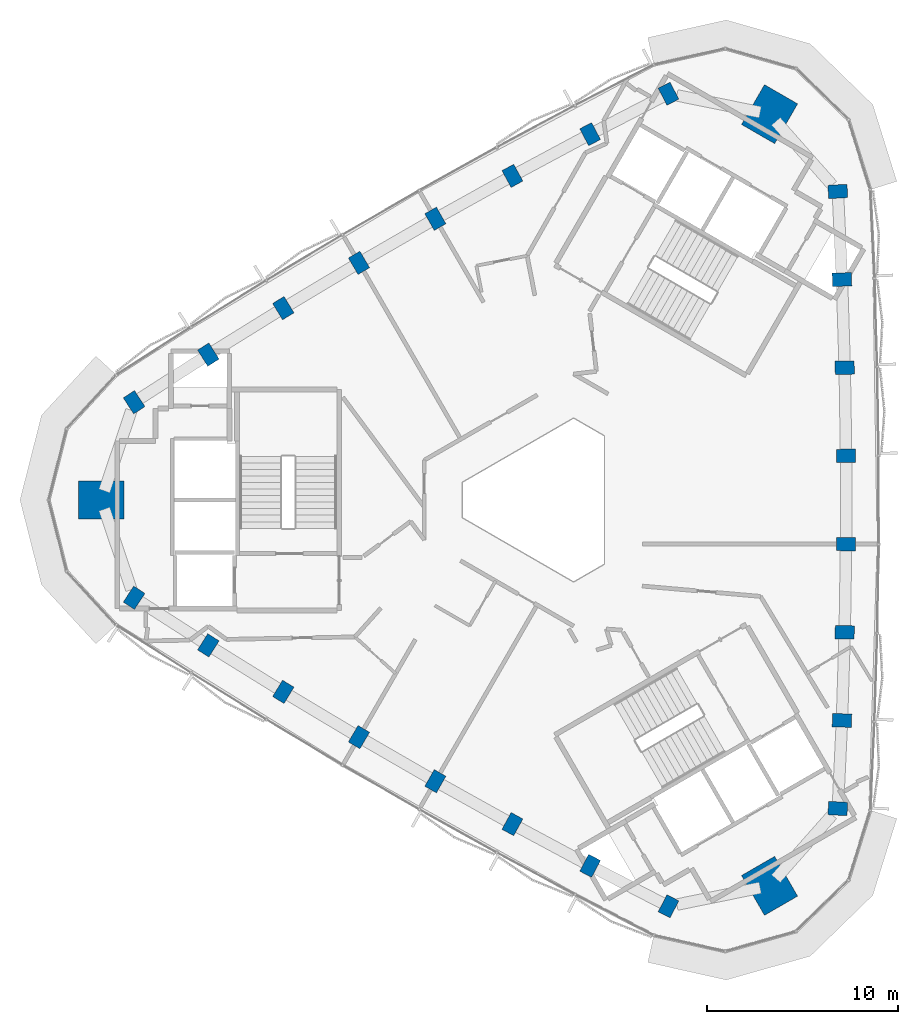
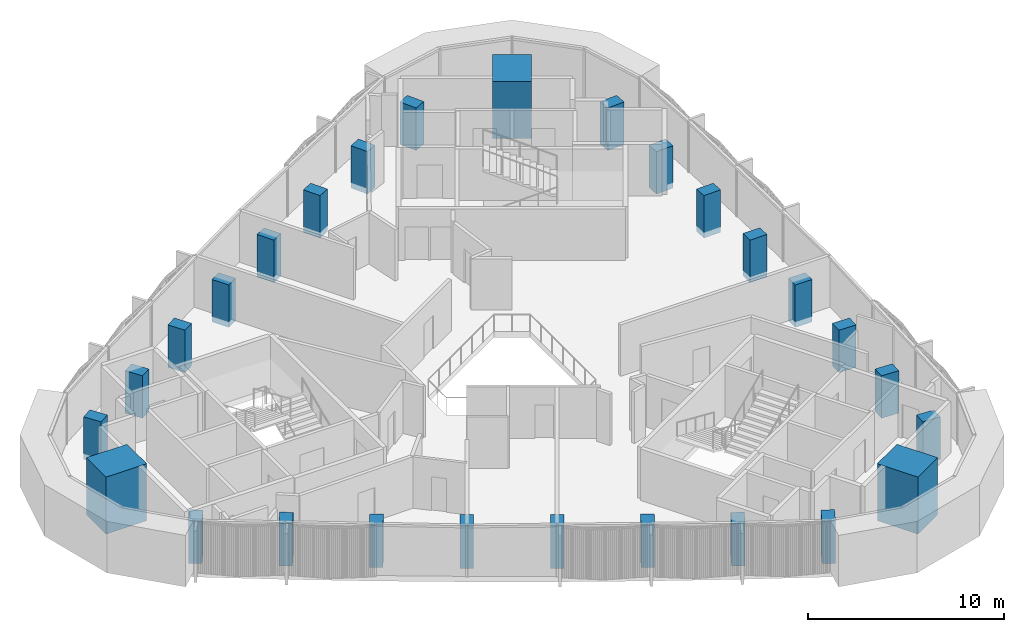
# One storey, part 1 of 13: 27 columns.
"""IFC4 building model written with IfcOpenShell, lengths in metres."""

from ifc_helpers import new_model, si_unit, direction, frame, origin, origin_2d, place, context, subcontext, project, spatial, rectangle, extrude, material, material_profile, profile_set, type_object, element, save


model = new_model("IFC4")

# Units and contexts
model_context = context("Model", 3, precision=1e-05, world=origin(), true_north=direction((0.0, 1.0)))
body_context = subcontext(model_context, "Body", "Model", "MODEL_VIEW")
ifc_project = project(units=[si_unit("LENGTHUNIT", "METRE"), si_unit("AREAUNIT", "SQUARE_METRE"), si_unit("VOLUMEUNIT", "CUBIC_METRE"), si_unit("PLANEANGLEUNIT", "RADIAN"), si_unit("MASSUNIT", "GRAM", prefix="KILO")], contexts=[model_context])

# Site, building, storey
site_placement = place(None, origin())
site = spatial("IfcSite", under=ifc_project, at=site_placement, CompositionType="ELEMENT")
building_placement = place(site_placement, origin())
building = spatial("IfcBuilding", under=site, at=building_placement, Name="Tamra Quay Hotel Tower", CompositionType="ELEMENT")
storey_placement = place(building_placement, frame((0.0, 0.0, 298.199951171875)))
storey = spatial("IfcBuildingStorey", under=building, at=storey_placement, Name="L75", CompositionType="ELEMENT", Elevation=298.199951171875)

# Columns
ifc_material = material(Name="Concrete M70", Category="concrete")
ifc_material_profile_1 = material_profile(ifc_material, rectangle(XDim=1.0, YDim=0.699951171875, at=origin_2d()), Name="COLUMN RC 700x1000 Z6")
ifc_profile_set_1 = profile_set([ifc_material_profile_1], Name="Concrete M70")
column_type_1 = type_object("IfcColumnType", Name="COLUMN RC 700x1000 Z6", PredefinedType="COLUMN", material=ifc_profile_set_1)
for number, where, z_axis, x_axis, name in (
    (1, (15.202392578125, -16.116943359375, -0.349853515625), (0.0, 0.0, 1.0), (-0.998490919119, 0.05491706873, 0.0), "COL-C6E01-L75"),
    (2, (15.418212890625, -11.51513671875, -0.349853515625), (0.0, 0.0, 1.0), (-0.999251212442, 0.03869127076, 0.0), "COL-C6E02-L75"),
    (3, (15.56201171875, -6.909912109375, -0.349853515625), (0.0, 0.0, 1.0), (-0.999717847188, 0.023753442163, 0.0), "COL-C6E03-L75"),
    (4, (15.634033203125, -2.303466796875, -0.349853515625), (0.0, 0.0, 1.0), (-0.999968634555, 0.007920221337, 0.0), "COL-C6E04-L75"),
    (5, (15.634033203125, 2.303466796875, -0.349853515625), (0.0, 0.0, 1.0), (0.999968634555, 0.007920221337, 0.0), "COL-C6E05-L75"),
    (6, (15.56201171875, 6.909912109375, -0.349853515625), (0.0, 0.0, 1.0), (0.999717847188, 0.023753442163, 0.0), "COL-C6E06-L75"),
    (7, (15.418212890625, 11.51513671875, -0.349853515625), (0.0, 0.0, 1.0), (0.999251212442, 0.03869127076, 0.0), "COL-C6E07-L75"),
    (8, (15.202392578125, 16.116943359375, -0.349853515625), (0.0, 0.0, 1.0), (0.998490919119, 0.05491706873, 0.0), "COL-C6E08-L75"),
    (9, (6.3564453125, 21.22412109375, -0.349853515625), (0.0, 0.0, 1.0), (-0.451685882938, 0.89217703577, 0.0), "COL-C6NW01-L75"),
    (10, (2.26318359375, 19.110107421875, -0.349853515625), (0.0, 0.0, 1.0), (-0.466117982839, 0.884722570117, 0.0), "COL-C6NW02-L75"),
    (11, (-1.796875, 16.93212890625, -0.349853515625), (0.0, 0.0, 1.0), (-0.479287839253, 0.877657773363, 0.0), "COL-C6NW03-L75"),
    (12, (-5.822265625, 14.69140625, -0.349853515625), (0.0, 0.0, 1.0), (-0.493125204396, 0.869958351181, 0.0), "COL-C6NW04-L75"),
    (13, (-9.81201171875, 12.3876953125, -0.349853515625), (0.0, 0.0, 1.0), (-0.506843430159, 0.862038129844, 0.0), "COL-C6NW05-L75"),
    (14, (-13.765380859375, 10.022216796875, -0.349853515625), (0.0, 0.0, 1.0), (-0.520430007934, 0.8539043312, 0.0), "COL-C6NW06-L75"),
    (15, (-17.681396484375, 7.594970703125, -0.349853515625), (0.0, 0.0, 1.0), (-0.533133229604, 0.846031299357, 0.0), "COL-C6NW07-L75"),
    (16, (-21.558837890625, 5.107421875, -0.349853515625), (0.0, 0.0, 1.0), (-0.546805036181, 0.83725996704, 0.0), "COL-C6NW08-L75"),
    (17, (-21.558837890625, -5.107421875, -0.349853515625), (0.0, 0.0, 1.0), (0.546805036181, 0.83725996704, 0.0), "COL-C6SW01-L75"),
    (18, (-17.681396484375, -7.594970703125, -0.349853515625), (0.0, 0.0, 1.0), (0.533133229604, 0.846031299357, 0.0), "COL-C6SW02-L75"),
    (19, (-13.765380859375, -10.022216796875, -0.349853515625), (0.0, 0.0, 1.0), (0.520430007934, 0.8539043312, 0.0), "COL-C6SW03-L75"),
    (20, (-9.81201171875, -12.3876953125, -0.349853515625), (0.0, 0.0, 1.0), (0.506843430159, 0.862038129844, 0.0), "COL-C6SW04-L75"),
    (21, (-5.822265625, -14.69140625, -0.349853515625), (0.0, 0.0, 1.0), (0.493125204396, 0.869958351181, 0.0), "COL-C6SW05-L75"),
    (22, (-1.796875, -16.93212890625, -0.349853515625), (0.0, 0.0, 1.0), (0.479287839253, 0.877657773363, 0.0), "COL-C6SW06-L75"),
    (23, (2.26318359375, -19.110107421875, -0.349853515625), (0.0, 0.0, 1.0), (0.466117982839, 0.884722570117, 0.0), "COL-C6SW07-L75"),
    (24, (6.3564453125, -21.22412109375, -0.349853515625), (0.0, 0.0, 1.0), (0.451685882938, 0.89217703577, 0.0), "COL-C6SW08-L75"),
):
    element("IfcColumn", number, at=place(storey_placement, frame(where, z_axis=z_axis, x_axis=x_axis)), inside=storey, type_object=column_type_1, Name=name, PredefinedType="COLUMN", context=body_context, shape_type="SweptSolid", body=[
        extrude(rectangle(XDim=1.0, YDim=0.699951171875, at=origin_2d()), origin(), (0.0, 0.0, 1.0), 2.639892578125),
    ])
ifc_material_profile_2 = material_profile(ifc_material, rectangle(XDim=2.39990234375, YDim=2.0, at=origin_2d()), Name="MEGA COLUMN RC 2000x2400 Z6")
ifc_profile_set_2 = profile_set([ifc_material_profile_2], Name="Concrete M70")
column_type_2 = type_object("IfcColumnType", Name="MEGA COLUMN RC 2000x2400 Z6", PredefinedType="COLUMN", material=ifc_profile_set_2)
for number, where, z_axis, x_axis, name in (
    (25, (11.63671875, 20.1552734375, -0.349853515625), (0.0, 0.0, 1.0), (0.5, 0.866025403784, 0.0), "COL-M6NE-L75"),
    (26, (-23.2734375, 0.0, -0.349853515625), (0.0, 0.0, 1.0), (1.0, 0.0, 0.0), "COL-M6W-L75"),
    (27, (11.63671875, -20.1552734375, -0.349853515625), (0.0, 0.0, 1.0), (-0.5, 0.866025403784, 0.0), "COL-M6SE-L75"),
):
    element("IfcColumn", number, at=place(storey_placement, frame(where, z_axis=z_axis, x_axis=x_axis)), inside=storey, type_object=column_type_2, Name=name, PredefinedType="COLUMN", context=body_context, shape_type="SweptSolid", body=[
        extrude(rectangle(XDim=2.39990234375, YDim=2.0, at=origin_2d()), origin(), (0.0, 0.0, 1.0), 3.5498046875),
    ])

save(model, "model.ifc")
